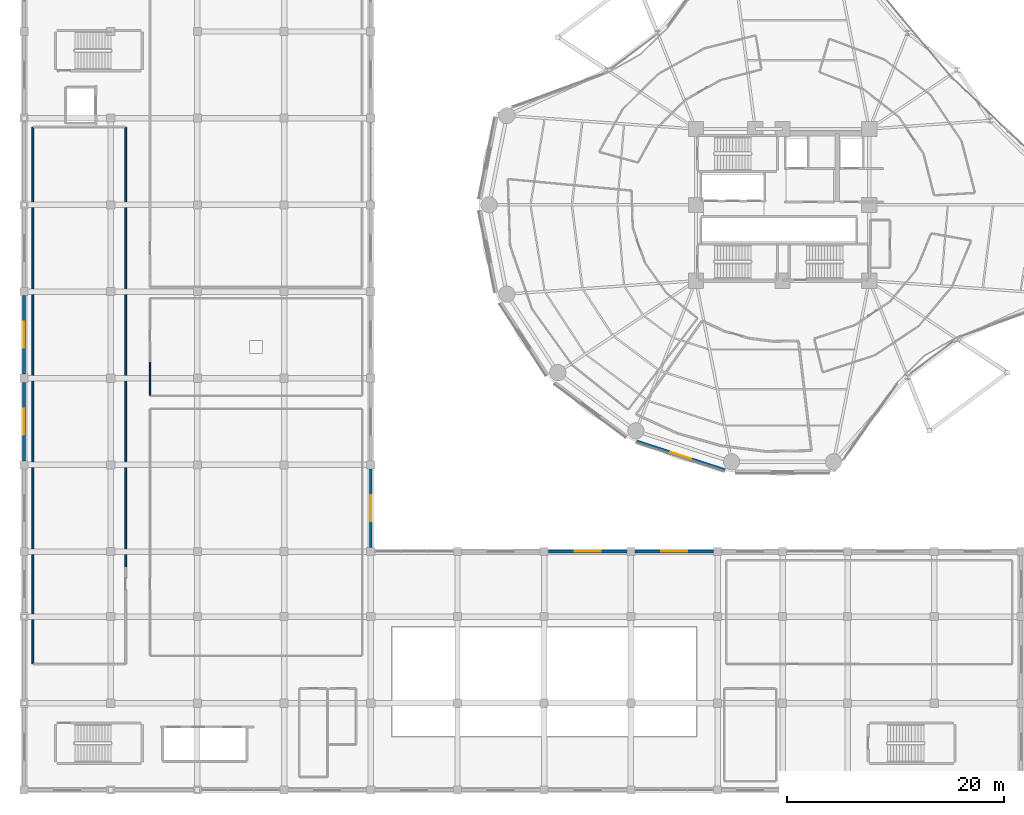
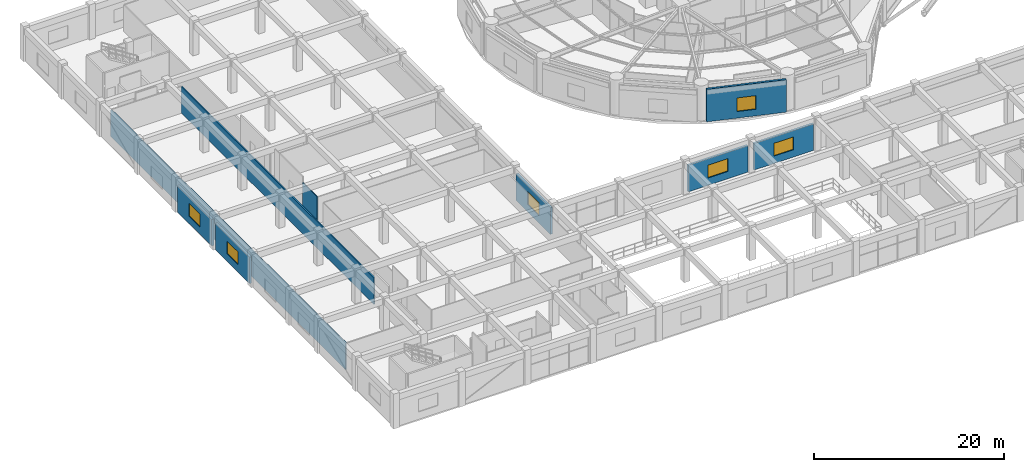
# One storey, part 41 of 55: 9 walls, 6 windows, 6 openings.
"""IFC4 building model written with IfcOpenShell, lengths in metres."""

import ifcopenshell
import ifcopenshell.guid

model = None  # the IFC model being written
_history = None  # IfcOwnerHistory: only IFC2X3 demands one
_inside = {}  # id of a spatial element -> (the spatial element, [elements in it])
_under = {}  # id of a project, library or spatial element -> (it, [spatial elements below it])
_declared = {}  # id of a project -> (the project, [libraries it declares])
_typed = {}  # id of a type object -> (the type object, [elements of that type])
_made_of = {}  # id of a material, layer set ... -> (it, [elements and type objects made of it])


def new_model(schema):
    """Start an empty IFC model of exactly this schema.

    Asked for "IFC4X3", IfcOpenShell would pick the latest addendum, in which some entities
    have other attributes; the version numbers below select the first issue.
    IFC2X3 requires an IfcOwnerHistory on every rooted entity: one is made here for all.
    """
    global model, _history
    if schema == "IFC4X3":
        model = ifcopenshell.file(schema_version=(4, 3, 0, 0))
    else:
        model = ifcopenshell.file(schema=schema)
    _inside.clear()
    _under.clear()
    _declared.clear()
    _typed.clear()
    _made_of.clear()
    _history = None
    if model.schema == "IFC2X3":
        org = make("IfcOrganization", Name="unknown")
        user = make(
            "IfcPersonAndOrganization",
            ThePerson=make("IfcPerson", FamilyName="unknown"),
            TheOrganization=org,
        )
        app = make(
            "IfcApplication",
            ApplicationDeveloper=org,
            Version="unknown",
            ApplicationFullName="unknown",
            ApplicationIdentifier="unknown",
        )
        _history = make(
            "IfcOwnerHistory",
            OwningUser=user,
            OwningApplication=app,
            ChangeAction="ADDED",
            CreationDate=0,
        )
    return model


def make(cls, **values):
    """One entity of the class cls with the attributes given. An attribute that is None is left unset."""
    return model.create_entity(
        cls, **{name: value for name, value in values.items() if value is not None}
    )


def rooted(cls, **values):
    """An entity with a GlobalId (a new one), such as an element, a storey or a relation."""
    return make(cls, GlobalId=ifcopenshell.guid.new(), OwnerHistory=_history, **values)


def si_unit(unit_type, name, prefix=None):
    """IfcSIUnit, for example si_unit("LENGTHUNIT", "METRE", prefix="MILLI")."""
    return make("IfcSIUnit", UnitType=unit_type, Prefix=prefix, Name=name)


def assignment(units):
    """IfcUnitAssignment: the units of a project."""
    return None if units is None else make("IfcUnitAssignment", Units=units)


def point(xyz):
    """IfcCartesianPoint."""
    return None if xyz is None else make("IfcCartesianPoint", Coordinates=xyz)


def direction(xyz):
    """IfcDirection."""
    return None if xyz is None else make("IfcDirection", DirectionRatios=xyz)


def frame(location, z_axis=None, x_axis=None):
    """IfcAxis2Placement3D, a coordinate frame: its origin and axes. An axis left out is left unset."""
    return make(
        "IfcAxis2Placement3D",
        Location=point(location),
        Axis=direction(z_axis),
        RefDirection=direction(x_axis),
    )


def frame_2d(location, x_axis=None):
    """IfcAxis2Placement2D, a coordinate frame in the plane: its origin and x axis."""
    return make(
        "IfcAxis2Placement2D", Location=point(location), RefDirection=direction(x_axis)
    )


def origin():
    """The frame at (0, 0, 0) with its axes left unset."""
    return frame((0.0, 0.0, 0.0))


def place(relative_to, where):
    """IfcLocalPlacement: puts the frame where relative to a parent placement (None: the world)."""
    return make(
        "IfcLocalPlacement", PlacementRelTo=relative_to, RelativePlacement=where
    )


def context(
    kind, dimensions, precision=None, world=None, true_north=None, identifier=None
):
    """IfcGeometricRepresentationContext, for example the 3D "Model" context."""
    return make(
        "IfcGeometricRepresentationContext",
        ContextIdentifier=identifier,
        ContextType=kind,
        CoordinateSpaceDimension=dimensions,
        Precision=precision,
        WorldCoordinateSystem=world,
        TrueNorth=true_north,
    )


def subcontext(parent, identifier, kind, view, scale=None):
    """IfcGeometricRepresentationSubContext, for example "Body" below "Model"."""
    return make(
        "IfcGeometricRepresentationSubContext",
        ContextIdentifier=identifier,
        ContextType=kind,
        ParentContext=parent,
        TargetScale=scale,
        TargetView=view,
    )


def project(units=None, contexts=None):
    """IfcProject with its units and contexts."""
    return rooted(
        "IfcProject",
        Name="project",
        RepresentationContexts=contexts,
        UnitsInContext=assignment(units),
    )


def spatial(cls, under=None, at=None, **own):
    """A site, building, storey or space (cls), placed at a placement, below another one or the project."""
    s = rooted(cls, ObjectPlacement=at, **own)
    if under is not None:
        _under.setdefault(under.id(), (under, []))[1].append(s)
    return s


def profile(cls, at=None, kind="AREA", **sizes):
    """A parametric profile (cls). Its sizes go by their IFC names, for example OverallWidth=200.0."""
    return make(cls, ProfileType=kind, Position=at, **sizes)


def rectangle(**sizes):
    """IfcRectangleProfileDef."""
    return profile("IfcRectangleProfileDef", **sizes)


def extrude(swept, where, along, depth):
    """IfcExtrudedAreaSolid: the profile swept, set in the frame where, extruded along a direction by depth."""
    return make(
        "IfcExtrudedAreaSolid",
        SweptArea=swept,
        Position=where,
        ExtrudedDirection=direction(along),
        Depth=depth,
    )


def shape(context_of_items, identifier, shape_type, items):
    """IfcShapeRepresentation: the items that make up one representation, for example the "Body"."""
    return make(
        "IfcShapeRepresentation",
        ContextOfItems=context_of_items,
        RepresentationIdentifier=identifier,
        RepresentationType=shape_type,
        Items=items,
    )


def material(Name=None, Category=None):
    """IfcMaterial."""
    return make("IfcMaterial", Name=Name, Category=Category)


def layer(
    of_material, thickness, ventilated=None, Name=None, Category=None, Priority=None
):
    """IfcMaterialLayer: one layer of a wall or slab, of a material (None: an air gap)."""
    return make(
        "IfcMaterialLayer",
        Material=of_material,
        LayerThickness=thickness,
        IsVentilated=ventilated,
        Name=Name,
        Category=Category,
        Priority=Priority,
    )


def layer_set(layers, Name=None):
    """IfcMaterialLayerSet."""
    return make("IfcMaterialLayerSet", MaterialLayers=layers, LayerSetName=Name)


def made_of(thing, what):
    """Note that an element or type object is made of a material, layer set ...; save() writes the relation."""
    if what is not None:
        _made_of.setdefault(what.id(), (what, []))[1].append(thing)
    return thing


def type_object(cls, material=None, **own):
    """A type object (cls), such as IfcWallType, which elements share."""
    return made_of(rooted(cls, **own), material)


def element(
    cls,
    number,
    at=None,
    inside=None,
    cuts=None,
    type_object=None,
    material=None,
    context=None,
    identifier="Body",
    shape_type=None,
    held_by="IfcProductDefinitionShape",
    body=None,
    shapes=None,
    **own,
):
    """One element of the class cls, such as IfcWall. Its Tag is "e" and its number.

    at: its placement. inside: the storey or other place that contains it. cuts: it is an
    opening in that element (IfcRelVoidsElement). A single representation is given by context,
    identifier, shape_type and body (its items); several are given by shapes. held_by: the class
    of the entity that holds the representations. save() writes the other relations.
    """
    e = rooted(cls, Tag="e%d" % number, ObjectPlacement=at, **own)
    if body is not None:
        shapes = [shape(context, identifier, shape_type, body)]
    if shapes is not None:
        e.Representation = make(held_by, Representations=shapes)
    if inside is not None:
        _inside.setdefault(inside.id(), (inside, []))[1].append(e)
    if cuts is not None:
        rooted(
            "IfcRelVoidsElement", RelatingBuildingElement=cuts, RelatedOpeningElement=e
        )
    if type_object is not None:
        _typed.setdefault(type_object.id(), (type_object, []))[1].append(e)
    return made_of(e, material)


def fill(opening, filler):
    """IfcRelFillsElement: the door or window that sits in an opening."""
    return rooted(
        "IfcRelFillsElement",
        RelatingOpeningElement=opening,
        RelatedBuildingElement=filler,
    )


def aggregate(whole, parts):
    """IfcRelAggregates: a whole, such as a stair, and the parts it consists of."""
    return rooted("IfcRelAggregates", RelatingObject=whole, RelatedObjects=parts)


def save(model, path):
    """Write the relations noted so far, then the file.

    IfcRelAggregates (storeys below a building ...), IfcRelContainedInSpatialStructure (elements
    in a storey), IfcRelDefinesByType, IfcRelAssociatesMaterial and IfcRelDeclares: one each for
    every whole, place, type object, material and project.
    """
    for whole, parts in _under.values():
        aggregate(whole, parts)
    for where, things in _inside.values():
        rooted(
            "IfcRelContainedInSpatialStructure",
            RelatedElements=things,
            RelatingStructure=where,
        )
    for kind, things in _typed.values():
        rooted("IfcRelDefinesByType", RelatedObjects=things, RelatingType=kind)
    for what, things in _made_of.values():
        rooted("IfcRelAssociatesMaterial", RelatedObjects=things, RelatingMaterial=what)
    for by, libraries in _declared.values():
        rooted("IfcRelDeclares", RelatingContext=by, RelatedDefinitions=libraries)
    model.write(path)


model = new_model("IFC4")

# Units and contexts
model_context = context("Model", 3, precision=1e-05, world=origin(), true_north=direction((0.0, 1.0)))
body_context = subcontext(model_context, "Body", "Model", "MODEL_VIEW")
ifc_project = project(units=[si_unit("LENGTHUNIT", "METRE"), si_unit("AREAUNIT", "SQUARE_METRE"), si_unit("VOLUMEUNIT", "CUBIC_METRE"), si_unit("PLANEANGLEUNIT", "RADIAN"), si_unit("MASSUNIT", "GRAM", prefix="KILO")], contexts=[model_context])

# Site, building, storey
site_placement = place(None, origin())
site = spatial("IfcSite", under=ifc_project, at=site_placement, CompositionType="ELEMENT")
building_placement = place(site_placement, origin())
building = spatial("IfcBuilding", under=site, at=building_placement, Name="Kelanora Arch Commons", CompositionType="ELEMENT")
storey_placement = place(building_placement, frame((0.0, 0.0, 4.5)))
storey = spatial("IfcBuildingStorey", under=building, at=storey_placement, Name="L01", CompositionType="ELEMENT", Elevation=4.5)

# Walls
ifc_material_1 = material(Name="Autoclaved aerated concrete blockwork with fire plaster", Category="masonry")
ifc_layer_1 = layer(ifc_material_1, 0.14990234375)
ifc_layer_set_1 = layer_set([ifc_layer_1], Name="Autoclaved aerated concrete blockwork with fire plaster")
wall_type_1 = type_object("IfcWallType", Name="W-COMP-150", PredefinedType="PARTITIONING", material=ifc_layer_set_1)
wall_1_placement = place(storey_placement, frame((13.3798828125, 24.5400390625, 0.0), z_axis=(0.0, 0.0, 1.0), x_axis=(0.0, 1.0, 0.0)))
element("IfcWall", 1, at=wall_1_placement, inside=storey, type_object=wall_type_1, Name="Market West Vendor Bulk Store L01 Enclosure Partition 2", PredefinedType="PARTITIONING", context=body_context, shape_type="SweptSolid", body=[
    extrude(rectangle(XDim=40.619873046875, YDim=0.14990234375, at=frame_2d((20.31005859375, 0.0))), origin(), (0.0, 0.0, 1.0), 3.425048828125),
])
wall_2_placement = place(storey_placement, frame((4.800048828125, 65.159912109375, 0.0), z_axis=(0.0, 0.0, 1.0), x_axis=(0.0, -1.0, 0.0)))
element("IfcWall", 2, at=wall_2_placement, inside=storey, type_object=wall_type_1, Name="Market West Vendor Bulk Store L01 Enclosure Partition 4", PredefinedType="PARTITIONING", context=body_context, shape_type="SweptSolid", body=[
    extrude(rectangle(XDim=49.5, YDim=0.14990234375, at=frame_2d((24.75, 0.0))), origin(), (0.0, 0.0, 1.0), 3.425048828125),
])

# Wall, opening, window
ifc_material_2 = material(Name="Precast concrete C40/50 with terracotta ceramic cladding", Category="masonry")
ifc_layer_2 = layer(ifc_material_2, 0.25)
ifc_layer_set_2 = layer_set([ifc_layer_2], Name="Precast concrete C40/50 with terracotta ceramic cladding")
wall_type_2 = type_object("IfcWallType", Name="W-EXT-MKT", PredefinedType="SOLIDWALL", material=ifc_layer_set_2)
wall_3_placement = place(storey_placement, frame((67.6201171875, 26.0, 0.0), z_axis=(0.0, 0.0, 1.0), x_axis=(-1.0, 0.0, 0.0)))
wall_3 = element("IfcWall", 3, at=wall_3_placement, inside=storey, type_object=wall_type_2, Name="Market Hall Exterior Wall L01-19", PredefinedType="SOLIDWALL", context=body_context, shape_type="SweptSolid", body=[
    extrude(rectangle(XDim=7.240234375, YDim=0.25, at=frame_2d((3.6201171875, 0.0))), origin(), (0.0, 0.0, 1.0), 3.419921875),
])
opening_1_placement = place(wall_3_placement, frame((2.419921875, 0.0, 0.949951171875)))
opening_1 = element("IfcOpeningElement", 4, at=opening_1_placement, cuts=wall_3, Name="Opening WN-03", PredefinedType="OPENING", context=body_context, shape_type="SweptSolid", body=[
    extrude(rectangle(XDim=2.39990234375, YDim=1.64990234375, at=frame_2d((1.199951171875, 0.824951171875))), frame((0.0, 0.135009765625, 0.0), z_axis=(0.0, -1.0, 0.0), x_axis=(1.0, 0.0, 0.0)), (0.0, 0.0, 1.0), 0.27001953125),
])
ifc_material_3 = material(Name="Bronze-terracotta aluminium monsoon clerestory window", Category="masonry")
window_type_1 = type_object("IfcWindowType", Name="WIN-MKT-24", PartitioningType="TRIPLE_PANEL_VERTICAL", PredefinedType="WINDOW", material=ifc_material_3)
window_1_placement = place(opening_1_placement, origin())
window_1 = element("IfcWindow", 5, at=window_1_placement, inside=storey, type_object=window_type_1, Name="Market Hall Clerestory Window L01-19", OverallHeight=1.64990234375, OverallWidth=2.39990234375, PartitioningType="SINGLE_PANEL", PredefinedType="WINDOW", context=body_context, shape_type="SweptSolid", body=[
    extrude(rectangle(XDim=2.39990234375, YDim=1.64990234375, at=frame_2d((1.199951171875, 0.824951171875))), frame((0.0, 0.030029296875, 0.0), z_axis=(0.0, -1.0, 0.0), x_axis=(1.0, 0.0, 0.0)), (0.0, 0.0, 1.0), 0.06005859375),
])
fill(opening_1, window_1)

wall_4_placement = place(storey_placement, frame((59.6201171875, 26.0, 0.0), z_axis=(0.0, 0.0, 1.0), x_axis=(-1.0, 0.0, 0.0)))
wall_4 = element("IfcWall", 6, at=wall_4_placement, inside=storey, type_object=wall_type_2, Name="Market Hall Exterior Wall L01-20", PredefinedType="SOLIDWALL", context=body_context, shape_type="SweptSolid", body=[
    extrude(rectangle(XDim=7.240234375, YDim=0.25, at=frame_2d((3.6201171875, 0.0))), origin(), (0.0, 0.0, 1.0), 3.419921875),
])
opening_2_placement = place(wall_4_placement, frame((2.419921875, 0.0, 0.949951171875)))
opening_2 = element("IfcOpeningElement", 7, at=opening_2_placement, cuts=wall_4, Name="Opening WN-03", PredefinedType="OPENING", context=body_context, shape_type="SweptSolid", body=[
    extrude(rectangle(XDim=2.39990234375, YDim=1.64990234375, at=frame_2d((1.199951171875, 0.824951171875))), frame((0.0, 0.135009765625, 0.0), z_axis=(0.0, -1.0, 0.0), x_axis=(1.0, 0.0, 0.0)), (0.0, 0.0, 1.0), 0.27001953125),
])
window_2_placement = place(opening_2_placement, origin())
window_2 = element("IfcWindow", 8, at=window_2_placement, inside=storey, type_object=window_type_1, Name="Market Hall Clerestory Window L01-20", OverallHeight=1.64990234375, OverallWidth=2.39990234375, PartitioningType="SINGLE_PANEL", PredefinedType="WINDOW", context=body_context, shape_type="SweptSolid", body=[
    extrude(rectangle(XDim=2.39990234375, YDim=1.64990234375, at=frame_2d((1.199951171875, 0.824951171875))), frame((0.0, 0.030029296875, 0.0), z_axis=(0.0, -1.0, 0.0), x_axis=(1.0, 0.0, 0.0)), (0.0, 0.0, 1.0), 0.06005859375),
])
fill(opening_2, window_2)

wall_5_placement = place(storey_placement, frame((36.0, 26.3798828125, 0.0), z_axis=(0.0, 0.0, 1.0), x_axis=(0.0, 1.0, 0.0)))
wall_5 = element("IfcWall", 9, at=wall_5_placement, inside=storey, type_object=wall_type_2, Name="Market Hall Exterior Wall L01-23", PredefinedType="SOLIDWALL", context=body_context, shape_type="SweptSolid", body=[
    extrude(rectangle(XDim=7.240234375, YDim=0.25, at=frame_2d((3.6201171875, 0.0))), origin(), (0.0, 0.0, 1.0), 3.419921875),
])
opening_3_placement = place(wall_5_placement, frame((2.419921875, 0.0, 0.949951171875)))
opening_3 = element("IfcOpeningElement", 10, at=opening_3_placement, cuts=wall_5, Name="Opening WN-03", PredefinedType="OPENING", context=body_context, shape_type="SweptSolid", body=[
    extrude(rectangle(XDim=2.39990234375, YDim=1.64990234375, at=frame_2d((1.199951171875, 0.824951171875))), frame((0.0, 0.135009765625, 0.0), z_axis=(0.0, -1.0, 0.0), x_axis=(1.0, 0.0, 0.0)), (0.0, 0.0, 1.0), 0.27001953125),
])
window_3_placement = place(opening_3_placement, origin())
window_3 = element("IfcWindow", 11, at=window_3_placement, inside=storey, type_object=window_type_1, Name="Market Hall Clerestory Window L01-23", OverallHeight=1.64990234375, OverallWidth=2.39990234375, PartitioningType="SINGLE_PANEL", PredefinedType="WINDOW", context=body_context, shape_type="SweptSolid", body=[
    extrude(rectangle(XDim=2.39990234375, YDim=1.64990234375, at=frame_2d((1.199951171875, 0.824951171875))), frame((0.0, 0.030029296875, 0.0), z_axis=(0.0, -1.0, 0.0), x_axis=(1.0, 0.0, 0.0)), (0.0, 0.0, 1.0), 0.06005859375),
])
fill(opening_3, window_3)

wall_6_placement = place(storey_placement, frame((4.0, 49.6201171875, 0.0), z_axis=(0.0, 0.0, 1.0), x_axis=(0.0, -1.0, 0.0)))
wall_6 = element("IfcWall", 12, at=wall_6_placement, inside=storey, type_object=wall_type_2, Name="Market Hall Exterior Wall L01-38", PredefinedType="SOLIDWALL", context=body_context, shape_type="SweptSolid", body=[
    extrude(rectangle(XDim=7.240234375, YDim=0.25, at=frame_2d((3.6201171875, 0.0))), origin(), (0.0, 0.0, 1.0), 3.419921875),
])
opening_4_placement = place(wall_6_placement, frame((2.419921875, 0.0, 0.949951171875)))
opening_4 = element("IfcOpeningElement", 13, at=opening_4_placement, cuts=wall_6, Name="Opening WN-03", PredefinedType="OPENING", context=body_context, shape_type="SweptSolid", body=[
    extrude(rectangle(XDim=2.39990234375, YDim=1.64990234375, at=frame_2d((1.199951171875, 0.824951171875))), frame((0.0, 0.135009765625, 0.0), z_axis=(0.0, -1.0, 0.0), x_axis=(1.0, 0.0, 0.0)), (0.0, 0.0, 1.0), 0.27001953125),
])
window_4_placement = place(opening_4_placement, origin())
window_4 = element("IfcWindow", 14, at=window_4_placement, inside=storey, type_object=window_type_1, Name="Market Hall Clerestory Window L01-38", OverallHeight=1.64990234375, OverallWidth=2.39990234375, PartitioningType="SINGLE_PANEL", PredefinedType="WINDOW", context=body_context, shape_type="SweptSolid", body=[
    extrude(rectangle(XDim=2.39990234375, YDim=1.64990234375, at=frame_2d((1.199951171875, 0.824951171875))), frame((0.0, 0.030029296875, 0.0), z_axis=(0.0, -1.0, 0.0), x_axis=(1.0, 0.0, 0.0)), (0.0, 0.0, 1.0), 0.06005859375),
])
fill(opening_4, window_4)

wall_7_placement = place(storey_placement, frame((4.0, 41.6201171875, 0.0), z_axis=(0.0, 0.0, 1.0), x_axis=(0.0, -1.0, 0.0)))
wall_7 = element("IfcWall", 15, at=wall_7_placement, inside=storey, type_object=wall_type_2, Name="Market Hall Exterior Wall L01-39", PredefinedType="SOLIDWALL", context=body_context, shape_type="SweptSolid", body=[
    extrude(rectangle(XDim=7.240234375, YDim=0.25, at=frame_2d((3.6201171875, 0.0))), origin(), (0.0, 0.0, 1.0), 3.419921875),
])
opening_5_placement = place(wall_7_placement, frame((2.419921875, 0.0, 0.949951171875)))
opening_5 = element("IfcOpeningElement", 16, at=opening_5_placement, cuts=wall_7, Name="Opening WN-03", PredefinedType="OPENING", context=body_context, shape_type="SweptSolid", body=[
    extrude(rectangle(XDim=2.39990234375, YDim=1.64990234375, at=frame_2d((1.199951171875, 0.824951171875))), frame((0.0, 0.135009765625, 0.0), z_axis=(0.0, -1.0, 0.0), x_axis=(1.0, 0.0, 0.0)), (0.0, 0.0, 1.0), 0.27001953125),
])
window_5_placement = place(opening_5_placement, origin())
window_5 = element("IfcWindow", 17, at=window_5_placement, inside=storey, type_object=window_type_1, Name="Market Hall Clerestory Window L01-39", OverallHeight=1.64990234375, OverallWidth=2.39990234375, PartitioningType="SINGLE_PANEL", PredefinedType="WINDOW", context=body_context, shape_type="SweptSolid", body=[
    extrude(rectangle(XDim=2.39990234375, YDim=1.64990234375, at=frame_2d((1.199951171875, 0.824951171875))), frame((0.0, 0.030029296875, 0.0), z_axis=(0.0, -1.0, 0.0), x_axis=(1.0, 0.0, 0.0)), (0.0, 0.0, 1.0), 0.06005859375),
])
fill(opening_5, window_5)

ifc_material_4 = material(Name="Precast concrete C40/50 with terracotta rainscreen", Category="masonry")
ifc_layer_3 = layer(ifc_material_4, 0.260009765625)
ifc_layer_set_3 = layer_set([ifc_layer_3], Name="Precast concrete C40/50 with terracotta rainscreen")
wall_type_3 = type_object("IfcWallType", Name="W-EXT-TC", PredefinedType="SOLIDWALL", material=ifc_layer_set_3)
wall_8_placement = place(storey_placement, frame((60.5263671875, 36.178466796875, 0.0), z_axis=(0.0, 0.0, 1.0), x_axis=(0.951039914291, -0.309068085421, 0.0)))
wall_8 = element("IfcWall", 18, at=wall_8_placement, inside=storey, type_object=wall_type_3, Name="Terracotta Exterior Wall L01-B12", PredefinedType="SOLIDWALL", context=body_context, shape_type="SweptSolid", body=[
    extrude(rectangle(XDim=8.593505859375, YDim=0.260009765625, at=frame_2d((4.296875, 0.0))), origin(), (0.0, 0.0, 1.0), 4.18505859375),
])
opening_6_placement = place(wall_8_placement, frame((3.297119140625, 0.0, 0.85009765625)))
opening_6 = element("IfcOpeningElement", 19, at=opening_6_placement, cuts=wall_8, Name="Opening WN-05", PredefinedType="OPENING", context=body_context, shape_type="SweptSolid", body=[
    extrude(rectangle(XDim=2.0, YDim=1.75, at=frame_2d((1.0, 0.875))), frame((0.0, 0.14013671875, 0.0), z_axis=(0.0, -1.0, 0.0), x_axis=(1.0, 0.0, 0.0)), (0.0, 0.0, 1.0), 0.280029296875),
])
ifc_material_5 = material(Name="Terracotta-anodised aluminium podium window", Category="masonry")
window_type_2 = type_object("IfcWindowType", Name="WIN-POD-20", PartitioningType="TRIPLE_PANEL_VERTICAL", PredefinedType="WINDOW", material=ifc_material_5)
window_6_placement = place(opening_6_placement, origin())
window_6 = element("IfcWindow", 20, at=window_6_placement, inside=storey, type_object=window_type_2, Name="Podium Window L01-B12", OverallHeight=1.75, OverallWidth=2.0, PartitioningType="SINGLE_PANEL", PredefinedType="WINDOW", context=body_context, shape_type="SweptSolid", body=[
    extrude(rectangle(XDim=2.0, YDim=1.75, at=frame_2d((1.0, 0.875))), frame((0.0, 0.030029296875, 0.0), z_axis=(0.0, -1.0, 0.0), x_axis=(1.0, 0.0, 0.0)), (0.0, 0.0, 1.0), 0.06005859375),
])
fill(opening_6, window_6)

# Wall
ifc_material_6 = material(Name="Lightweight fire-rated acoustic stud partition")
ifc_layer_4 = layer(ifc_material_6, 0.10009765625)
ifc_layer_set_4 = layer_set([ifc_layer_4], Name="Lightweight fire-rated acoustic stud partition")
wall_type_4 = type_object("IfcWallType", Name="W-PART-100", PredefinedType="PARTITIONING", material=ifc_layer_set_4)
wall_9_placement = place(storey_placement, frame((15.6201171875, 43.4599609375, 0.0), z_axis=(0.0, 0.0, 1.0), x_axis=(0.0, -1.0, 0.0)))
element("IfcWall", 21, at=wall_9_placement, inside=storey, type_object=wall_type_4, Name="Mezzanine Dining Overlook Gallery Enclosure Partition 4", PredefinedType="PARTITIONING", context=body_context, shape_type="SweptSolid", body=[
    extrude(rectangle(XDim=3.02001953125, YDim=0.10009765625, at=frame_2d((1.510009765625, 0.0))), origin(), (0.0, 0.0, 1.0), 3.425048828125),
])

save(model, "model.ifc")
